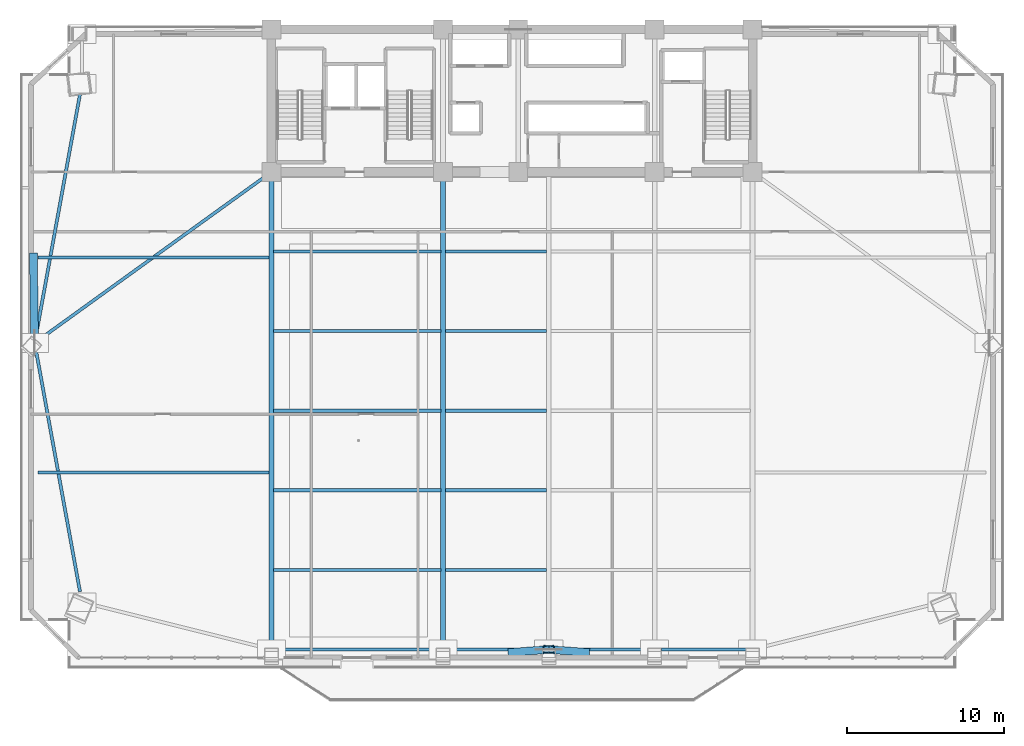
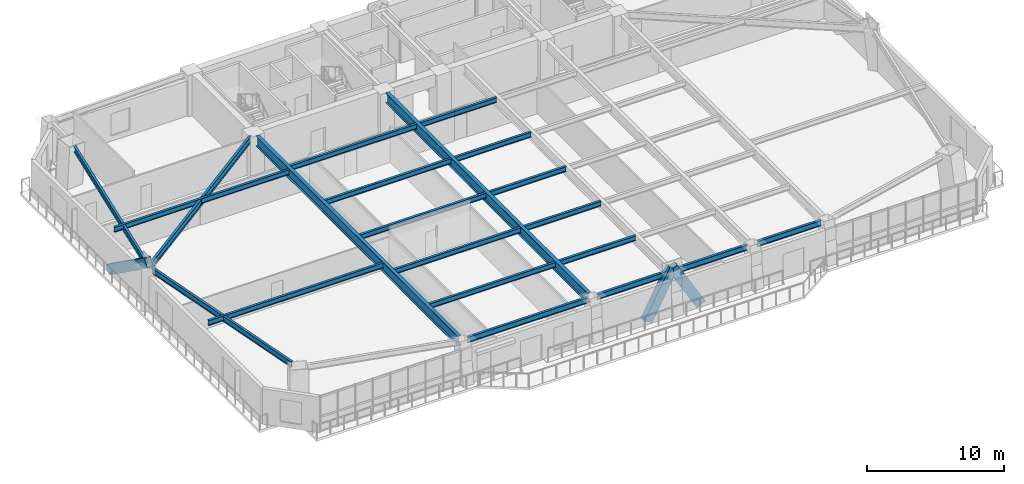
# One storey, part 3 of 15: 21 beams, 3 members.
"""IFC4 building model written with IfcOpenShell, lengths in metres."""

from ifc_helpers import new_model, si_unit, direction, frame, origin, origin_2d, place, context, subcontext, project, spatial, hollow_rectangle, i_section, extrude, source, transform, mapped, material, material_profile, profile_set, type_object, element, save


model = new_model("IFC4")

# Units and contexts
model_context = context("Model", 3, precision=1e-05, world=origin(), true_north=direction((0.0, 1.0)))
body_context = subcontext(model_context, "Body", "Model", "MODEL_VIEW")
ifc_project = project(units=[si_unit("LENGTHUNIT", "METRE"), si_unit("AREAUNIT", "SQUARE_METRE"), si_unit("VOLUMEUNIT", "CUBIC_METRE"), si_unit("PLANEANGLEUNIT", "RADIAN"), si_unit("MASSUNIT", "GRAM", prefix="KILO")], contexts=[model_context])

# Site, building, storey
site_placement = place(None, origin())
site = spatial("IfcSite", under=ifc_project, at=site_placement, CompositionType="ELEMENT")
building_placement = place(site_placement, origin())
building = spatial("IfcBuilding", under=site, at=building_placement, Name="Giltprow Tower", CompositionType="ELEMENT")
storey_placement = place(building_placement, frame((0.0, 0.0, 107.5)))
storey = spatial("IfcBuildingStorey", under=building, at=storey_placement, Name="L26", CompositionType="ELEMENT", Elevation=107.5)

# Beams
ifc_material_1 = material(Name="Structural steel Q355B", Category="steel")
ifc_material_profile_1 = material_profile(ifc_material_1, i_section(OverallWidth=0.199951171875, OverallDepth=0.449951171875, WebThickness=0.009033203125, FlangeThickness=0.013916015625, at=origin_2d()), Name="HN 450x200x9x14")
ifc_profile_set_1 = profile_set([ifc_material_profile_1], Name="Structural steel Q355B")
beam_type_1 = type_object("IfcBeamType", Name="BM-JOIST-HN450", PredefinedType="JOIST", material=ifc_profile_set_1)
shared_shape_1 = source(origin(), body_context, "Body", "SweptSolid", [
    extrude(i_section(OverallWidth=0.199951171875, OverallDepth=0.449951171875, WebThickness=0.009033203125, FlangeThickness=0.013916015625, at=origin_2d()), origin(), (0.0, 0.0, 1.0), 10.659912109375),
])
for number, where, z_axis, x_axis, name in (
    (1, (19.9951171875, 12.06689453125, 3.455078125), (1.0, 0.0, 0.0), (0.0, 1.0, 0.0), "L26 Composite Floor Joist 1-1"),
    (2, (19.9951171875, 17.14306640625, 3.455078125), (1.0, 0.0, 0.0), (0.0, 1.0, 0.0), "L26 Composite Floor Joist 2-1"),
    (3, (19.9951171875, 22.219970703125, 3.455078125), (1.0, 0.0, 0.0), (0.0, 1.0, 0.0), "L26 Composite Floor Joist 3-1"),
    (4, (19.9951171875, 27.297119140625, 3.455078125), (1.0, 0.0, 0.0), (0.0, 1.0, 0.0), "L26 Composite Floor Joist 4-1"),
    (5, (19.9951171875, 32.373046875, 3.455078125), (1.0, 0.0, 0.0), (0.0, 1.0, 0.0), "L26 Composite Floor Joist 5-1"),
):
    element("IfcBeam", number, at=place(storey_placement, frame(where, z_axis=z_axis, x_axis=x_axis)), inside=storey, type_object=beam_type_1, Name=name, PredefinedType="JOIST", context=body_context, shape_type="MappedRepresentation", body=[
        mapped(shared_shape_1, transform((0.0, 0.0, 0.0), x_axis=(1.0, 0.0, 0.0), y_axis=(0.0, 1.0, 0.0), z_axis=(0.0, 0.0, 1.0), scale=1.0)),
    ])
shared_shape_2 = source(origin(), body_context, "Body", "SweptSolid", [
    extrude(i_section(OverallWidth=0.199951171875, OverallDepth=0.449951171875, WebThickness=0.009033203125, FlangeThickness=0.013916015625, at=origin_2d()), origin(), (0.0, 0.0, 1.0), 6.4599609375),
])
for number, where, z_axis, x_axis, name in (
    (6, (30.945068359375, 12.06689453125, 3.455078125), (1.0, 0.0, 0.0), (0.0, 1.0, 0.0), "L26 Composite Floor Joist 1-2"),
    (7, (30.945068359375, 17.14306640625, 3.455078125), (1.0, 0.0, 0.0), (0.0, 1.0, 0.0), "L26 Composite Floor Joist 2-2"),
    (8, (30.945068359375, 22.219970703125, 3.455078125), (1.0, 0.0, 0.0), (0.0, 1.0, 0.0), "L26 Composite Floor Joist 3-2"),
    (9, (30.945068359375, 27.297119140625, 3.455078125), (1.0, 0.0, 0.0), (0.0, 1.0, 0.0), "L26 Composite Floor Joist 4-2"),
    (10, (30.945068359375, 32.373046875, 3.455078125), (1.0, 0.0, 0.0), (0.0, 1.0, 0.0), "L26 Composite Floor Joist 5-2"),
):
    element("IfcBeam", number, at=place(storey_placement, frame(where, z_axis=z_axis, x_axis=x_axis)), inside=storey, type_object=beam_type_1, Name=name, PredefinedType="JOIST", context=body_context, shape_type="MappedRepresentation", body=[
        mapped(shared_shape_2, transform((0.0, 0.0, 0.0), x_axis=(1.0, 0.0, 0.0), y_axis=(0.0, 1.0, 0.0), z_axis=(0.0, 0.0, 1.0), scale=1.0)),
    ])
ifc_material_profile_2 = material_profile(ifc_material_1, i_section(OverallWidth=0.199951171875, OverallDepth=0.5, WebThickness=0.010009765625, FlangeThickness=0.01611328125, at=origin_2d()), Name="HN 500x200x10x16")
ifc_profile_set_2 = profile_set([ifc_material_profile_2], Name="Structural steel Q355B")
beam_type_2 = type_object("IfcBeamType", Name="BM-SPAN-HN500", PredefinedType="SPANDREL", material=ifc_profile_set_2)
shared_shape_3 = source(origin(), body_context, "Body", "SweptSolid", [
    extrude(i_section(OverallWidth=0.199951171875, OverallDepth=0.5, WebThickness=0.010009765625, FlangeThickness=0.01611328125, at=origin_2d()), origin(), (0.0, 0.0, 1.0), 10.080078125),
])
beam_1_placement = place(storey_placement, frame((20.284912109375, 6.989990234375, 3.429931640625), z_axis=(1.0, 0.0, 0.0), x_axis=(0.0, 1.0, 0.0)))
element("IfcBeam", 11, at=beam_1_placement, inside=storey, type_object=beam_type_2, Name="L26 Perimeter Spandrel Beam S1-S2", PredefinedType="SPANDREL", context=body_context, shape_type="MappedRepresentation", body=[
    mapped(shared_shape_3, transform((0.0, 0.0, 0.0), x_axis=(1.0, 0.0, 0.0), y_axis=(0.0, 1.0, 0.0), z_axis=(0.0, 0.0, 1.0), scale=1.0)),
])
shared_shape_4 = source(origin(), body_context, "Body", "SweptSolid", [
    extrude(i_section(OverallWidth=0.199951171875, OverallDepth=0.5, WebThickness=0.010009765625, FlangeThickness=0.01611328125, at=origin_2d()), origin(), (0.0, 0.0, 1.0), 5.8798828125),
])
for number, where, z_axis, x_axis, name in (
    (12, (31.235107421875, 6.989990234375, 3.429931640625), (1.0, 0.0, 0.0), (0.0, 1.0, 0.0), "L26 Perimeter Spandrel Beam S2-S_MID"),
    (13, (37.985107421875, 6.989990234375, 3.429931640625), (1.0, 0.0, 0.0), (0.0, 1.0, 0.0), "L26 Perimeter Spandrel Beam S_MID-S3"),
):
    element("IfcBeam", number, at=place(storey_placement, frame(where, z_axis=z_axis, x_axis=x_axis)), inside=storey, type_object=beam_type_2, Name=name, PredefinedType="SPANDREL", context=body_context, shape_type="MappedRepresentation", body=[
        mapped(shared_shape_4, transform((0.0, 0.0, 0.0), x_axis=(1.0, 0.0, 0.0), y_axis=(0.0, 1.0, 0.0), z_axis=(0.0, 0.0, 1.0), scale=1.0)),
    ])
shared_shape_5 = source(origin(), body_context, "Body", "SweptSolid", [
    extrude(i_section(OverallWidth=0.199951171875, OverallDepth=0.5, WebThickness=0.010009765625, FlangeThickness=0.01611328125, at=origin_2d()), origin(), (0.0, 0.0, 1.0), 5.3798828125),
])
beam_2_placement = place(storey_placement, frame((44.735107421875, 6.989990234375, 3.429931640625), z_axis=(1.0, 0.0, 0.0), x_axis=(0.0, 1.0, 0.0)))
element("IfcBeam", 14, at=beam_2_placement, inside=storey, type_object=beam_type_2, Name="L26 Perimeter Spandrel Beam S3-S4", PredefinedType="SPANDREL", context=body_context, shape_type="MappedRepresentation", body=[
    mapped(shared_shape_5, transform((0.0, 0.0, 0.0), x_axis=(1.0, 0.0, 0.0), y_axis=(0.0, 1.0, 0.0), z_axis=(0.0, 0.0, 1.0), scale=1.0)),
])
shared_shape_6 = source(origin(), body_context, "Body", "SweptSolid", [
    extrude(i_section(OverallWidth=0.199951171875, OverallDepth=0.5, WebThickness=0.010009765625, FlangeThickness=0.01611328125, at=origin_2d()), origin(), (0.0, 0.0, 1.0), 15.690673828125),
])
for number, where, z_axis, x_axis, name in (
    (15, (7.637939453125, 42.408935546875, 3.429931640625), (-0.179463224787, -0.983764682711, 0.0), (0.983764682711, -0.179463224787, 0.0), "L26 Perimeter Spandrel Beam MC_NW-W_MID"),
    (16, (4.822021484375, 26.116943359375, 3.429931640625), (0.179463224787, -0.983764682711, 0.0), (0.983764682711, 0.179463224787, 0.0), "L26 Perimeter Spandrel Beam W_MID-MC_SW"),
):
    element("IfcBeam", number, at=place(storey_placement, frame(where, z_axis=z_axis, x_axis=x_axis)), inside=storey, type_object=beam_type_2, Name=name, PredefinedType="SPANDREL", context=body_context, shape_type="MappedRepresentation", body=[
        mapped(shared_shape_6, transform((0.0, 0.0, 0.0), x_axis=(1.0, 0.0, 0.0), y_axis=(0.0, 1.0, 0.0), z_axis=(0.0, 0.0, 1.0), scale=1.0)),
    ])
ifc_material_profile_3 = material_profile(ifc_material_1, i_section(OverallWidth=0.300048828125, OverallDepth=0.89990234375, WebThickness=0.01611328125, FlangeThickness=0.028076171875, at=origin_2d()), Name="HN 900x300x16x28")
ifc_profile_set_3 = profile_set([ifc_material_profile_3], Name="Structural steel Q355B")
beam_type_3 = type_object("IfcBeamType", Name="BM-GIRD-HN900", PredefinedType="BEAM", material=ifc_profile_set_3)
shared_shape_7 = source(origin(), body_context, "Body", "SweptSolid", [
    extrude(i_section(OverallWidth=0.300048828125, OverallDepth=0.89990234375, WebThickness=0.01611328125, FlangeThickness=0.028076171875, at=origin_2d()), origin(), (0.0, 0.0, 1.0), 29.43994140625),
])
for number, where, z_axis, x_axis, name in (
    (17, (19.85009765625, 7.425048828125, 3.22998046875), (0.0, 1.0, 0.0), (-1.0, 0.0, 0.0), "L26 Primary Lease Girder S1"),
    (18, (30.800048828125, 7.425048828125, 3.22998046875), (0.0, 1.0, 0.0), (-1.0, 0.0, 0.0), "L26 Primary Lease Girder S2"),
):
    element("IfcBeam", number, at=place(storey_placement, frame(where, z_axis=z_axis, x_axis=x_axis)), inside=storey, type_object=beam_type_3, Name=name, PredefinedType="BEAM", context=body_context, shape_type="MappedRepresentation", body=[
        mapped(shared_shape_7, transform((0.0, 0.0, 0.0), x_axis=(1.0, 0.0, 0.0), y_axis=(0.0, 1.0, 0.0), z_axis=(0.0, 0.0, 1.0), scale=1.0)),
    ])
ifc_material_profile_4 = material_profile(ifc_material_1, i_section(OverallWidth=0.199951171875, OverallDepth=0.60009765625, WebThickness=0.010986328125, FlangeThickness=0.01708984375, at=origin_2d()), Name="HN 600x200x11x17")
ifc_profile_set_4 = profile_set([ifc_material_profile_4], Name="Structural steel Q355B")
beam_type_4 = type_object("IfcBeamType", Name="BM-GIRD-HN600", PredefinedType="BEAM", material=ifc_profile_set_4)
shared_shape_8 = source(origin(), body_context, "Body", "SweptSolid", [
    extrude(i_section(OverallWidth=0.199951171875, OverallDepth=0.60009765625, WebThickness=0.010986328125, FlangeThickness=0.01708984375, at=origin_2d()), origin(), (0.0, 0.0, 1.0), 17.61083984375),
])
beam_3_placement = place(storey_placement, frame((5.096923828125, 26.800048828125, 3.3798828125), z_axis=(0.810808250373, 0.585311866552, 0.0), x_axis=(-0.585311866552, 0.810808250373, 0.0)))
element("IfcBeam", 19, at=beam_3_placement, inside=storey, type_object=beam_type_4, Name="L26 West Wing Primary Girder", PredefinedType="BEAM", context=body_context, shape_type="MappedRepresentation", body=[
    mapped(shared_shape_8, transform((0.0, 0.0, 0.0), x_axis=(1.0, 0.0, 0.0), y_axis=(0.0, 1.0, 0.0), z_axis=(0.0, 0.0, 1.0), scale=1.0)),
])
shared_shape_9 = source(origin(), body_context, "Body", "SweptSolid", [
    extrude(i_section(OverallWidth=0.199951171875, OverallDepth=0.449951171875, WebThickness=0.009033203125, FlangeThickness=0.013916015625, at=origin_2d()), origin(), (0.0, 0.0, 1.0), 14.740966796875),
])
for number, where, z_axis, x_axis, name in (
    (20, (4.964111328125, 18.27587890625, 3.455078125), (1.0, 0.0, 0.0), (0.0, 1.0, 0.0), "L26 West Wing Floor Joist 1"),
    (21, (4.964111328125, 31.998046875, 3.455078125), (1.0, 0.0, 0.0), (0.0, 1.0, 0.0), "L26 West Wing Floor Joist 2"),
):
    element("IfcBeam", number, at=place(storey_placement, frame(where, z_axis=z_axis, x_axis=x_axis)), inside=storey, type_object=beam_type_1, Name=name, PredefinedType="JOIST", context=body_context, shape_type="MappedRepresentation", body=[
        mapped(shared_shape_9, transform((0.0, 0.0, 0.0), x_axis=(1.0, 0.0, 0.0), y_axis=(0.0, 1.0, 0.0), z_axis=(0.0, 0.0, 1.0), scale=1.0)),
    ])

# Members
ifc_material_2 = material(Name="Structural steel Q420GJC", Category="steel")
ifc_material_profile_5 = material_profile(ifc_material_2, hollow_rectangle(XDim=0.5, YDim=0.800048828125, WallThickness=0.035888671875, at=origin_2d()), Name="RHS 800x500x36")
ifc_profile_set_5 = profile_set([ifc_material_profile_5], Name="Structural steel Q420GJC")
member_type = type_object("IfcMemberType", Name="MBR-MEGA-RHS800", PredefinedType="BRACE", material=ifc_profile_set_5)
shared_shape_10 = source(origin(), body_context, "Body", "SweptSolid", [
    extrude(hollow_rectangle(XDim=0.5, YDim=0.800048828125, WallThickness=0.035888671875, at=origin_2d()), origin(), (0.0, 0.0, 1.0), 6.74609375),
])
member_placement = place(storey_placement, frame((4.666015625, 32.049072265625, 0.0), z_axis=(0.011544434502, -0.815891146878, 0.578090271911), x_axis=(0.999899911153, 0.014148062615, 0.0)))
element("IfcMember", 22, at=member_placement, inside=storey, type_object=member_type, Name="L26 Chevron Mega-Brace W-R", PredefinedType="BRACE", context=body_context, shape_type="MappedRepresentation", body=[
    mapped(shared_shape_10, transform((0.0, 0.0, 0.0), x_axis=(1.0, 0.0, 0.0), y_axis=(0.0, 1.0, 0.0), z_axis=(0.0, 0.0, 1.0), scale=1.0)),
])
shared_shape_11 = source(origin(), body_context, "Body", "SweptSolid", [
    extrude(hollow_rectangle(XDim=0.5, YDim=0.800048828125, WallThickness=0.035888671875, at=origin_2d()), origin(), (0.0, 0.0, 1.0), 4.505859375),
])
for number, where, z_axis, x_axis, name in (
    (23, (35.300048828125, 6.81396484375, 0.0), (0.499350364216, 0.039065930187, 0.865518958115), (-0.077995186993, 0.996953735539, 0.0), "L26 Chevron Mega-Brace S-L"),
    (24, (39.800048828125, 6.81396484375, 0.0), (-0.499350364216, 0.039065930187, 0.865518958115), (-0.077995186993, -0.996953735539, 0.0), "L26 Chevron Mega-Brace S-R"),
):
    element("IfcMember", number, at=place(storey_placement, frame(where, z_axis=z_axis, x_axis=x_axis)), inside=storey, type_object=member_type, Name=name, PredefinedType="BRACE", context=body_context, shape_type="MappedRepresentation", body=[
        mapped(shared_shape_11, transform((0.0, 0.0, 0.0), x_axis=(1.0, 0.0, 0.0), y_axis=(0.0, 1.0, 0.0), z_axis=(0.0, 0.0, 1.0), scale=1.0)),
    ])

save(model, "model.ifc")
